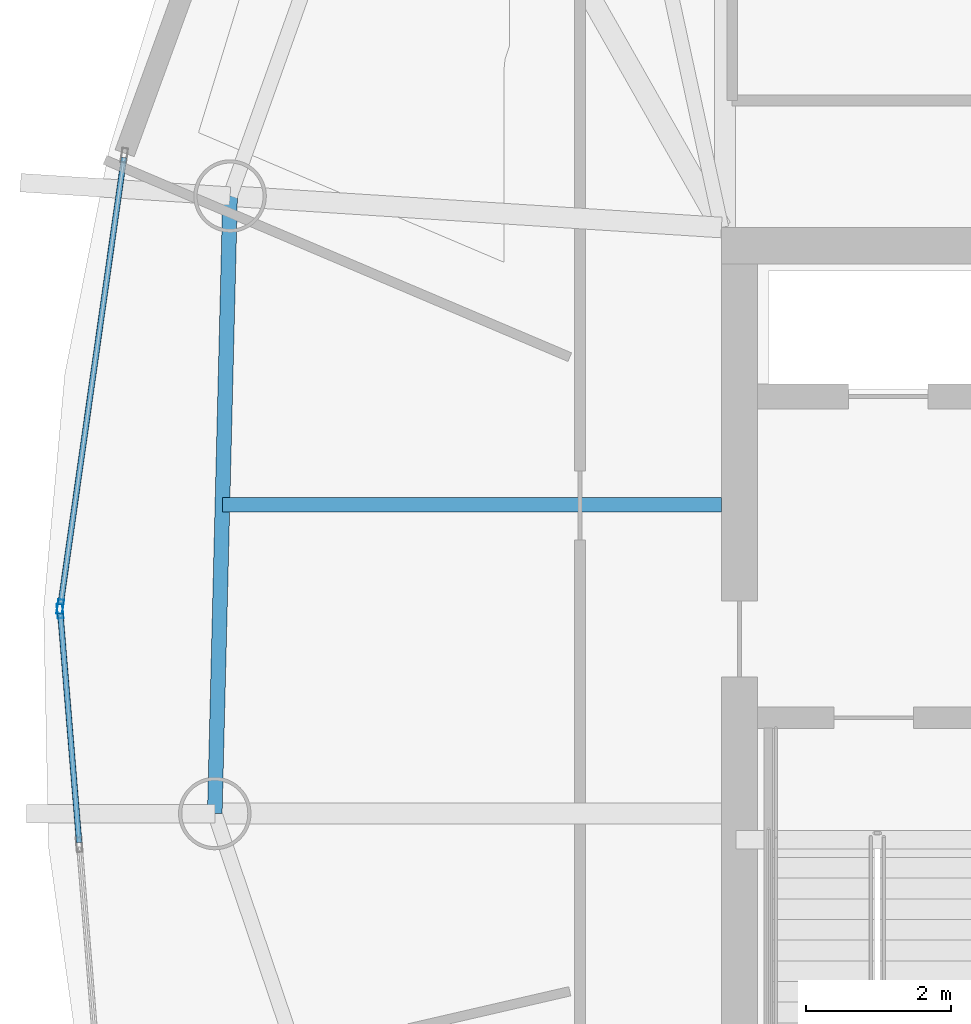
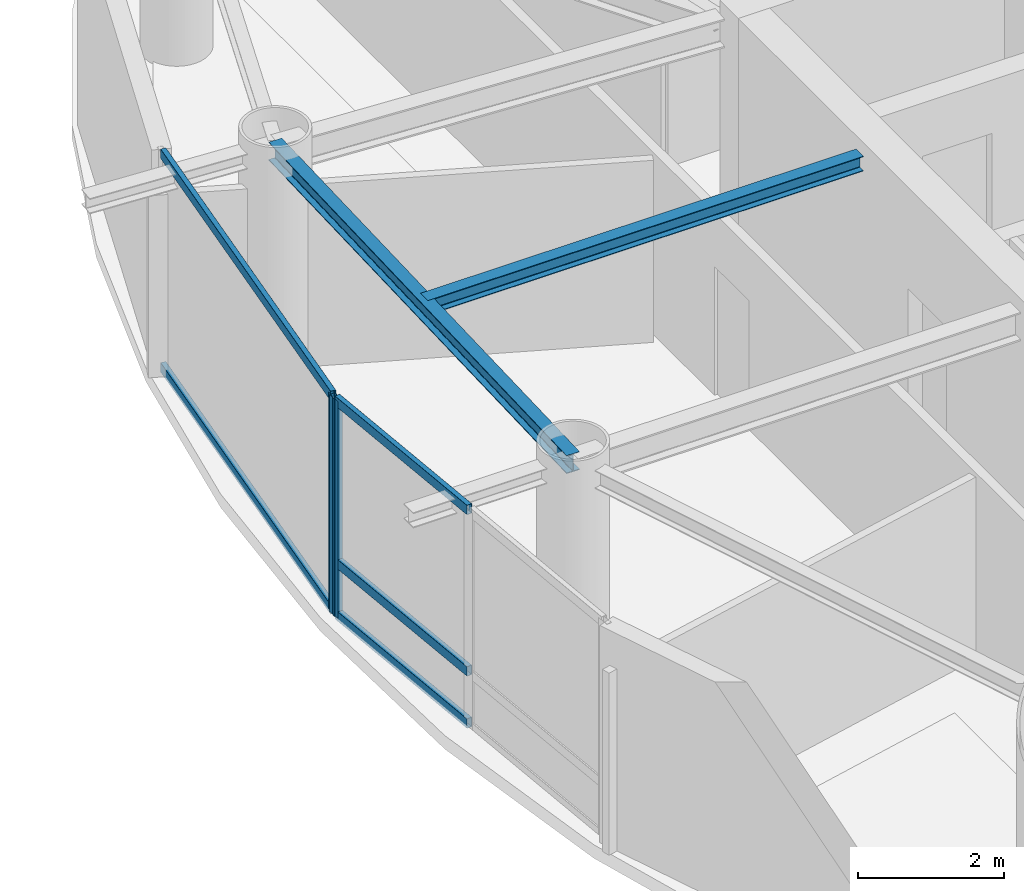
# One storey, part 5 of 20: 7 members, 2 beams, 2 elements without a shape of their own.
"""IFC4 building model written with IfcOpenShell, lengths in metres."""

from ifc_helpers import new_model, si_unit, direction, frame, origin, origin_2d, place, context, subcontext, project, spatial, hollow_rectangle, i_section, extrude, material, layer, layer_set, material_profile, profile_set, type_object, element, aggregate, save


model = new_model("IFC4")

# Units and contexts
model_context = context("Model", 3, precision=1e-05, world=origin(), true_north=direction((0.0, 1.0)))
body_context = subcontext(model_context, "Body", "Model", "MODEL_VIEW")
ifc_project = project(units=[si_unit("LENGTHUNIT", "METRE"), si_unit("AREAUNIT", "SQUARE_METRE"), si_unit("VOLUMEUNIT", "CUBIC_METRE"), si_unit("PLANEANGLEUNIT", "RADIAN"), si_unit("MASSUNIT", "GRAM", prefix="KILO")], contexts=[model_context])

# Site, building, storey
site_placement = place(None, origin())
site = spatial("IfcSite", under=ifc_project, at=site_placement, CompositionType="ELEMENT")
building_placement = place(site_placement, origin())
building = spatial("IfcBuilding", under=site, at=building_placement, Name="Bramvorn Convention Spire", CompositionType="ELEMENT")
storey_placement = place(building_placement, frame((0.0, 0.0, 284.39990234375)))
storey = spatial("IfcBuildingStorey", under=building, at=storey_placement, Name="L72", CompositionType="ELEMENT", Elevation=284.39990234375)

# Beams
ifc_material_1 = material(Name="Steel CSA G40.21 Grade 350 (350W)", Category="steel")
ifc_material_profile_1 = material_profile(ifc_material_1, i_section(OverallWidth=0.201904296875, OverallDepth=0.2470703125, WebThickness=0.00732421875, FlangeThickness=0.010986328125, FilletRadius=0.011962890625, at=origin_2d()))
ifc_profile_set_1 = profile_set([ifc_material_profile_1], Name="Steel CSA G40.21 Grade 350 (350W) - W250X49")
beam_type_1 = type_object("IfcBeamType", Name="BM-W250X49", PredefinedType="JOIST", material=ifc_profile_set_1)
beam_1_placement = place(storey_placement, frame((26.75, 29.626953125, 3.501708984375), z_axis=(-1.0, 0.0, 0.0), x_axis=(0.0, -1.0, 0.0)))
element("IfcBeam", 1, at=beam_1_placement, inside=storey, type_object=beam_type_1, Name="L72 composite floor joist 11", PredefinedType="JOIST", context=body_context, shape_type="SweptSolid", body=[
    extrude(i_section(OverallWidth=0.201904296875, OverallDepth=0.2470703125, WebThickness=0.00732421875, FlangeThickness=0.010986328125, FilletRadius=0.011962890625, at=origin_2d()), origin(), (0.0, 0.0, 1.0), 6.879150390625),
])
ifc_material_profile_2 = material_profile(ifc_material_1, i_section(OverallWidth=0.202880859375, OverallDepth=0.302978515625, WebThickness=0.007568359375, FlangeThickness=0.01318359375, FilletRadius=0.013916015625, at=origin_2d()))
ifc_profile_set_2 = profile_set([ifc_material_profile_2], Name="Steel CSA G40.21 Grade 350 (350W) - W310X60")
beam_type_2 = type_object("IfcBeamType", Name="BM-W310X60", PredefinedType="JOIST", material=ifc_profile_set_2)
beam_2_placement = place(storey_placement, frame((19.976318359375, 33.883544921875, 3.4736328125), z_axis=(-0.024770853371, -0.999693155335, 0.0), x_axis=(0.999693155335, -0.024770853371, 0.0)))
element("IfcBeam", 2, at=beam_2_placement, inside=storey, type_object=beam_type_2, Name="L72 mega-column ring beam 11", PredefinedType="JOIST", context=body_context, shape_type="SweptSolid", body=[
    extrude(i_section(OverallWidth=0.202880859375, OverallDepth=0.302978515625, WebThickness=0.007568359375, FlangeThickness=0.01318359375, FilletRadius=0.013916015625, at=origin_2d()), origin(), (0.0, 0.0, 1.0), 8.515625),
])

# Curtain wall, member
ifc_material_2 = material(Name="Anodised Bronze Unitised Curtain Wall", Category="aluminium")
ifc_layer = layer(ifc_material_2, 0.179931640625)
ifc_layer_set = layer_set([ifc_layer], Name="Anodised Bronze Unitised Curtain Wall - CW-OFF-FRIT")
curtain_wall_type = type_object("IfcCurtainWallType", Name="CW-OFF-FRIT", PredefinedType="USERDEFINED", material=ifc_layer_set)
curtain_wall_1_placement = place(storey_placement, origin())
curtain_wall_1 = element("IfcCurtainWall", 3, at=curtain_wall_1_placement, inside=storey, type_object=curtain_wall_type, Name="L72 fritted glass curtain wall 16", ObjectType="UNITISED CURTAIN WALL", PredefinedType="USERDEFINED")
ifc_material_3 = material(Name="Anodised Bronze Aluminium 6063-T6", Category="aluminium")
ifc_material_profile_3 = material_profile(ifc_material_3, hollow_rectangle(XDim=0.080078125, YDim=0.199951171875, WallThickness=0.00390625, InnerFilletRadius=0.0009765625, OuterFilletRadius=0.00390625, at=origin_2d()))
ifc_profile_set_3 = profile_set([ifc_material_profile_3], Name="Anodised Bronze Aluminium 6063-T6 - CWM80X200")
member_type_1 = type_object("IfcMemberType", Name="CW-MUL-180", PredefinedType="MULLION", material=ifc_profile_set_3)
member_1_placement = place(storey_placement, frame((17.635498046875, 28.2216796875, 0.0), z_axis=(0.0, 0.0, 1.0), x_axis=(-0.990074238491, 0.140545374442, 0.0)))
member_1 = element("IfcMember", 4, at=member_1_placement, type_object=member_type_1, Name="CW3 mullion 1", PredefinedType="MULLION", context=body_context, shape_type="SweptSolid", body=[
    extrude(hollow_rectangle(XDim=0.080078125, YDim=0.199951171875, WallThickness=0.00390625, InnerFilletRadius=0.0009765625, OuterFilletRadius=0.00390625, at=origin_2d()), origin(), (0.0, 0.0, 1.0), 3.625),
])

curtain_wall_2_placement = place(storey_placement, origin())
curtain_wall_2 = element("IfcCurtainWall", 5, at=curtain_wall_2_placement, inside=storey, type_object=curtain_wall_type, Name="L72 fritted glass curtain wall 17", ObjectType="UNITISED CURTAIN WALL", PredefinedType="USERDEFINED")
member_2_placement = place(storey_placement, frame((17.633544921875, 28.162109375, 0.0), z_axis=(0.0, 0.0, 1.0), x_axis=(-0.996648024612, -0.081809015619, 0.0)))
member_2 = element("IfcMember", 6, at=member_2_placement, type_object=member_type_1, Name="CW3 mullion 3", PredefinedType="MULLION", context=body_context, shape_type="SweptSolid", body=[
    extrude(hollow_rectangle(XDim=0.080078125, YDim=0.199951171875, WallThickness=0.00390625, InnerFilletRadius=0.0009765625, OuterFilletRadius=0.00390625, at=origin_2d()), origin(), (0.0, 0.0, 1.0), 3.625),
])

# Member
ifc_material_profile_4 = material_profile(ifc_material_3, hollow_rectangle(XDim=0.080078125, YDim=0.159912109375, WallThickness=0.00390625, InnerFilletRadius=0.0009765625, OuterFilletRadius=0.00390625, at=origin_2d()))
ifc_profile_set_4 = profile_set([ifc_material_profile_4], Name="Anodised Bronze Aluminium 6063-T6 - CWT80X160")
member_type_2 = type_object("IfcMemberType", Name="CW-TRN-150", PredefinedType="USERDEFINED", material=ifc_profile_set_4)
member_3_placement = place(storey_placement, frame((17.6396484375, 28.25146484375, 0.030029296875), z_axis=(0.140559278918, 0.99007226459, 0.0), x_axis=(-0.99007226459, 0.140559278918, 0.0)))
member_3 = element("IfcMember", 7, at=member_3_placement, type_object=member_type_2, Name="CW3 transom 1.1", ObjectType="TRANSOM", PredefinedType="USERDEFINED", context=body_context, shape_type="SweptSolid", body=[
    extrude(hollow_rectangle(XDim=0.080078125, YDim=0.159912109375, WallThickness=0.00390625, InnerFilletRadius=0.0009765625, OuterFilletRadius=0.00390625, at=origin_2d()), origin(), (0.0, 0.0, 1.0), 6.22509765625),
])

member_4_placement = place(storey_placement, frame((17.6396484375, 28.25146484375, 3.59521484375), z_axis=(0.140559278918, 0.99007226459, 0.0), x_axis=(-0.99007226459, 0.140559278918, 0.0)))
member_4 = element("IfcMember", 8, at=member_4_placement, type_object=member_type_2, Name="CW3 transom 1.2", ObjectType="TRANSOM", PredefinedType="USERDEFINED", context=body_context, shape_type="SweptSolid", body=[
    extrude(hollow_rectangle(XDim=0.080078125, YDim=0.159912109375, WallThickness=0.00390625, InnerFilletRadius=0.0009765625, OuterFilletRadius=0.00390625, at=origin_2d()), origin(), (0.0, 0.0, 1.0), 6.22509765625),
])

aggregate(curtain_wall_1, [member_1, member_3, member_4])

member_5_placement = place(storey_placement, frame((17.895751953125, 24.9697265625, 0.030029296875), z_axis=(-0.081790969245, 0.996649505769, 0.0), x_axis=(-0.996649505769, -0.081790969245, 0.0)))
member_5 = element("IfcMember", 9, at=member_5_placement, type_object=member_type_2, Name="CW3 transom 2.1", ObjectType="TRANSOM", PredefinedType="USERDEFINED", context=body_context, shape_type="SweptSolid", body=[
    extrude(hollow_rectangle(XDim=0.080078125, YDim=0.159912109375, WallThickness=0.00390625, InnerFilletRadius=0.0009765625, OuterFilletRadius=0.00390625, at=origin_2d()), origin(), (0.0, 0.0, 1.0), 3.173095703125),
])

member_6_placement = place(storey_placement, frame((17.895751953125, 24.9697265625, 0.900146484375), z_axis=(-0.081790969245, 0.996649505769, 0.0), x_axis=(-0.996649505769, -0.081790969245, 0.0)))
member_6 = element("IfcMember", 10, at=member_6_placement, type_object=member_type_2, Name="CW3 transom 2.2", ObjectType="TRANSOM", PredefinedType="USERDEFINED", context=body_context, shape_type="SweptSolid", body=[
    extrude(hollow_rectangle(XDim=0.080078125, YDim=0.159912109375, WallThickness=0.00390625, InnerFilletRadius=0.0009765625, OuterFilletRadius=0.00390625, at=origin_2d()), origin(), (0.0, 0.0, 1.0), 3.173095703125),
])

member_7_placement = place(storey_placement, frame((17.895751953125, 24.9697265625, 3.59521484375), z_axis=(-0.081790969245, 0.996649505769, 0.0), x_axis=(-0.996649505769, -0.081790969245, 0.0)))
member_7 = element("IfcMember", 11, at=member_7_placement, type_object=member_type_2, Name="CW3 transom 2.3", ObjectType="TRANSOM", PredefinedType="USERDEFINED", context=body_context, shape_type="SweptSolid", body=[
    extrude(hollow_rectangle(XDim=0.080078125, YDim=0.159912109375, WallThickness=0.00390625, InnerFilletRadius=0.0009765625, OuterFilletRadius=0.00390625, at=origin_2d()), origin(), (0.0, 0.0, 1.0), 3.173095703125),
])

aggregate(curtain_wall_2, [member_2, member_5, member_6, member_7])

save(model, "model.ifc")
